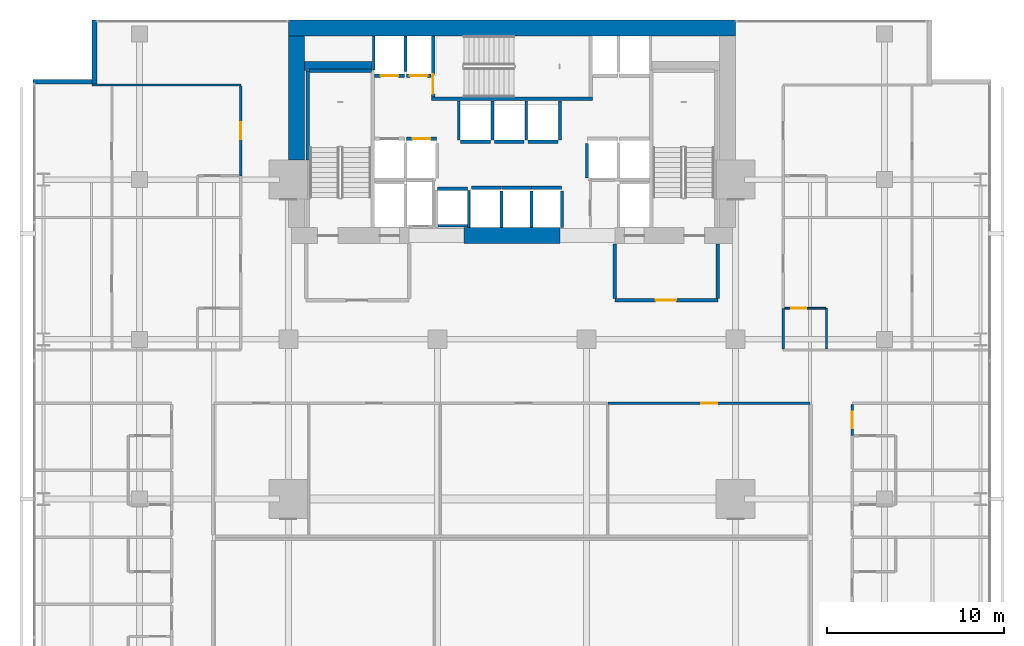
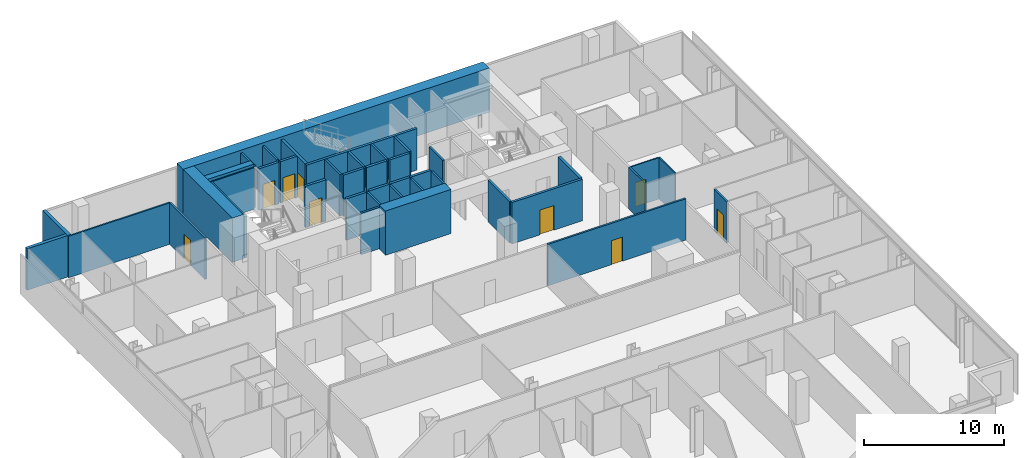
# One storey, part 36 of 40: 42 walls, 9 doors, 9 openings.
"""IFC4 building model written with IfcOpenShell, lengths in metres."""

from ifc_helpers import new_model, si_unit, direction, frame, frame_2d, origin, place, context, subcontext, project, spatial, rectangle, extrude, material, layer, layer_set, type_object, element, fill, save


model = new_model("IFC4")

# Units and contexts
model_context = context("Model", 3, precision=1e-05, world=origin(), true_north=direction((0.0, 1.0)))
body_context = subcontext(model_context, "Body", "Model", "MODEL_VIEW")
ifc_project = project(units=[si_unit("LENGTHUNIT", "METRE"), si_unit("AREAUNIT", "SQUARE_METRE"), si_unit("VOLUMEUNIT", "CUBIC_METRE"), si_unit("PLANEANGLEUNIT", "RADIAN"), si_unit("MASSUNIT", "GRAM", prefix="KILO")], contexts=[model_context])

# Site, building, storey
site_placement = place(None, origin())
site = spatial("IfcSite", under=ifc_project, at=site_placement, CompositionType="ELEMENT")
building_placement = place(site_placement, origin())
building = spatial("IfcBuilding", under=site, at=building_placement, Name="Maruvema Waterfront Hotel and Observation Tower", CompositionType="ELEMENT")
storey_placement = place(building_placement, frame((0.0, 0.0, 103.949951171875)))
storey = spatial("IfcBuildingStorey", under=building, at=storey_placement, Name="L25", CompositionType="ELEMENT", Elevation=103.949951171875)

# Wall, opening, door
ifc_material_1 = material(Name="Twin-stud acoustic gypsum drywall", Category="gypsum")
ifc_layer_1 = layer(ifc_material_1, 0.14990234375, Name="Acoustic Corridor and Suite Demising Wall 150 mm")
ifc_layer_set_1 = layer_set([ifc_layer_1], Name="Twin-stud acoustic gypsum drywall")
wall_type_1 = type_object("IfcWallType", Name="Acoustic Corridor and Suite Demising Wall 150 mm", PredefinedType="PARTITIONING", material=ifc_layer_set_1)
wall_1_placement = place(storey_placement, frame((43.221923828125, 32.39990234375, 0.0), z_axis=(0.0, 0.0, 1.0), x_axis=(1.0, 0.0, 0.0)))
wall_1 = element("IfcWall", 1, at=wall_1_placement, inside=storey, type_object=wall_type_1, Name="L25 L25-INTN Front 4 021", PredefinedType="PARTITIONING", context=body_context, shape_type="SweptSolid", body=[
    extrude(rectangle(XDim=11.3681640625, YDim=0.14990234375, at=frame_2d((5.68408203125, 0.0))), origin(), (0.0, 0.0, 1.0), 3.610107421875),
])
opening_1_placement = place(wall_1_placement, frame((5.23388671875, 0.0, 0.0)))
opening_1 = element("IfcOpeningElement", 2, at=opening_1_placement, cuts=wall_1, Name="Opening DR-090", PredefinedType="OPENING", context=body_context, shape_type="SweptSolid", body=[
    extrude(rectangle(XDim=0.89990234375, YDim=2.10009765625, at=frame_2d((0.449951171875, 1.050048828125))), frame((0.0, 0.0849609375, 0.0), z_axis=(0.0, -1.0, 0.0), x_axis=(1.0, 0.0, 0.0)), (0.0, 0.0, 1.0), 0.169921875),
])
ifc_material_2 = material(Name="Solid-core lacquered timber leaf", Category="wood")
door_type_1 = type_object("IfcDoorType", Name="Accessible Toilet and Room Door 900x2100 mm", OperationType="NOTDEFINED", PredefinedType="DOOR", material=ifc_material_2)
door_1_placement = place(opening_1_placement, origin())
door_1 = element("IfcDoor", 3, at=door_1_placement, inside=storey, type_object=door_type_1, Name="L25 Chef Pantry Kitchen 3 Door", OperationType="SINGLE_SWING_LEFT", OverallHeight=2.10009765625, OverallWidth=0.89990234375, PredefinedType="DOOR", context=body_context, shape_type="SweptSolid", body=[
    extrude(rectangle(XDim=0.89990234375, YDim=2.10009765625, at=frame_2d((0.449951171875, 1.050048828125))), frame((0.0, 0.02490234375, 0.0), z_axis=(0.0, -1.0, 0.0), x_axis=(1.0, 0.0, 0.0)), (0.0, 0.0, 1.0), 0.050048828125),
])
fill(opening_1, door_1)

wall_2_placement = place(storey_placement, frame((56.97998046875, 30.570068359375, 0.0), z_axis=(0.0, 0.0, 1.0), x_axis=(0.0, 1.0, 0.0)))
wall_2 = element("IfcWall", 4, at=wall_2_placement, inside=storey, type_object=wall_type_1, Name="L25 Room L25-E4 Corridor Wall 096", PredefinedType="PARTITIONING", context=body_context, shape_type="SweptSolid", body=[
    extrude(rectangle(XDim=1.77001953125, YDim=0.14990234375, at=frame_2d((0.885009765625, 0.0))), origin(), (0.0, 0.0, 1.0), 3.610107421875),
])
opening_2_placement = place(wall_2_placement, frame((0.409912109375, 0.0, 0.0)))
opening_2 = element("IfcOpeningElement", 5, at=opening_2_placement, cuts=wall_2, Name="Opening DR-095", PredefinedType="OPENING", context=body_context, shape_type="SweptSolid", body=[
    extrude(rectangle(XDim=0.949951171875, YDim=2.14990234375, at=frame_2d((0.47509765625, 1.074951171875))), frame((0.0, 0.0849609375, 0.0), z_axis=(0.0, -1.0, 0.0), x_axis=(1.0, 0.0, 0.0)), (0.0, 0.0, 1.0), 0.169921875),
])
ifc_material_3 = material(Name="Acoustic solid-core hardwood timber leaf", Category="wood")
door_type_2 = type_object("IfcDoorType", Name="Guestroom Entrance Fire Door 950x2150 mm", OperationType="NOTDEFINED", PredefinedType="DOOR", material=ifc_material_3)
door_2_placement = place(opening_2_placement, frame((0.949951171875, 0.0, 0.0), z_axis=(0.0, 0.0, 1.0), x_axis=(-1.0, 0.0, 0.0)))
door_2 = element("IfcDoor", 6, at=door_2_placement, inside=storey, type_object=door_type_2, Name="L25 Room L25-E4 Entrance Door", OperationType="SINGLE_SWING_LEFT", OverallHeight=2.14990234375, OverallWidth=0.949951171875, PredefinedType="DOOR", context=body_context, shape_type="SweptSolid", body=[
    extrude(rectangle(XDim=0.949951171875, YDim=2.14990234375, at=frame_2d((0.47509765625, 1.074951171875))), frame((0.0, 0.02490234375, 0.0), z_axis=(0.0, -1.0, 0.0), x_axis=(1.0, 0.0, 0.0)), (0.0, 0.0, 1.0), 0.050048828125),
])
fill(opening_2, door_2)

# Wall
wall_3_placement = place(storey_placement, frame((53.080078125, 35.4599609375, 0.0), z_axis=(0.0, 0.0, 1.0), x_axis=(0.0, 1.0, 0.0)))
element("IfcWall", 7, at=wall_3_placement, inside=storey, type_object=wall_type_1, Name="L25 Bath L25-NE1 Wall 108", PredefinedType="PARTITIONING", context=body_context, shape_type="SweptSolid", body=[
    extrude(rectangle(XDim=2.2900390625, YDim=0.14990234375, at=frame_2d((1.14501953125, 0.0))), origin(), (0.0, 0.0, 1.0), 3.610107421875),
])

# Wall, opening, door
wall_4_placement = place(storey_placement, frame((22.52001953125, 45.21875, 0.0), z_axis=(0.0, 0.0, 1.0), x_axis=(0.0, 1.0, 0.0)))
wall_4 = element("IfcWall", 8, at=wall_4_placement, inside=storey, type_object=wall_type_1, Name="L25 Room L25-NW2 Corridor Wall 116", PredefinedType="PARTITIONING", context=body_context, shape_type="SweptSolid", body=[
    extrude(rectangle(XDim=5.058837890625, YDim=0.14990234375, at=frame_2d((2.529296875, 0.0))), origin(), (0.0, 0.0, 1.0), 3.610107421875),
])
opening_3_placement = place(wall_4_placement, frame((2.054443359375, 0.0, 0.0)))
opening_3 = element("IfcOpeningElement", 9, at=opening_3_placement, cuts=wall_4, Name="Opening DR-095", PredefinedType="OPENING", context=body_context, shape_type="SweptSolid", body=[
    extrude(rectangle(XDim=0.949951171875, YDim=2.14990234375, at=frame_2d((0.47509765625, 1.074951171875))), frame((0.0, 0.0849609375, 0.0), z_axis=(0.0, -1.0, 0.0), x_axis=(1.0, 0.0, 0.0)), (0.0, 0.0, 1.0), 0.169921875),
])
door_3_placement = place(opening_3_placement, origin())
door_3 = element("IfcDoor", 10, at=door_3_placement, inside=storey, type_object=door_type_2, Name="L25 Room L25-NW2 Entrance Door", OperationType="SINGLE_SWING_LEFT", OverallHeight=2.14990234375, OverallWidth=0.949951171875, PredefinedType="DOOR", context=body_context, shape_type="SweptSolid", body=[
    extrude(rectangle(XDim=0.949951171875, YDim=2.14990234375, at=frame_2d((0.47509765625, 1.074951171875))), frame((0.0, 0.02490234375, 0.0), z_axis=(0.0, -1.0, 0.0), x_axis=(1.0, 0.0, 0.0)), (0.0, 0.0, 1.0), 0.050048828125),
])
fill(opening_3, door_3)

# Walls
ifc_material_4 = material(Name="Precast concrete C45/55", Category="concrete")
ifc_layer_2 = layer(ifc_material_4, 0.199951171875, Name="Core Shaft and Stairwell Enclosure Wall 200 mm")
ifc_layer_set_2 = layer_set([ifc_layer_2], Name="Precast concrete C45/55")
wall_type_2 = type_object("IfcWallType", Name="Core Shaft and Stairwell Enclosure Wall 200 mm", PredefinedType="SOLIDWALL", material=ifc_layer_set_2)
wall_5_placement = place(storey_placement, frame((26.300048828125, 46.1201171875, 0.0), z_axis=(0.0, 0.0, 1.0), x_axis=(0.0, 1.0, 0.0)))
element("IfcWall", 11, at=wall_5_placement, inside=storey, type_object=wall_type_2, Name="L25 Stairwell ST-01 Shaft Lining Wall", PredefinedType="SOLIDWALL", context=body_context, shape_type="SweptSolid", body=[
    extrude(rectangle(XDim=5.0, YDim=0.199951171875, at=frame_2d((2.5, 0.0))), origin(), (0.0, 0.0, 1.0), 3.610107421875),
])
wall_6_placement = place(storey_placement, frame((26.3798828125, 51.14990234375, 0.0), z_axis=(0.0, 0.0, 1.0), x_axis=(1.0, 0.0, 0.0)))
element("IfcWall", 12, at=wall_6_placement, inside=storey, type_object=wall_type_2, Name="L25 Stairwell ST-01 Shaft Lining Wall", PredefinedType="SOLIDWALL", context=body_context, shape_type="SweptSolid", body=[
    extrude(rectangle(XDim=3.5, YDim=0.199951171875, at=frame_2d((1.75, 0.0))), origin(), (0.0, 0.0, 1.0), 3.610107421875),
])
wall_7_placement = place(storey_placement, frame((33.25, 49.550048828125, 0.0), z_axis=(0.0, 0.0, 1.0), x_axis=(1.0, 0.0, 0.0)))
element("IfcWall", 13, at=wall_7_placement, inside=storey, type_object=wall_type_2, Name="L25 Stairwell ST-02 Shaft Wall", PredefinedType="SOLIDWALL", context=body_context, shape_type="SweptSolid", body=[
    extrude(rectangle(XDim=9.10009765625, YDim=0.199951171875, at=frame_2d((4.550048828125, 0.0))), origin(), (0.0, 0.0, 1.0), 3.610107421875),
])

# Wall, opening, door
wall_8_placement = place(storey_placement, frame((33.35009765625, 49.64990234375, 0.0), z_axis=(0.0, 0.0, 1.0), x_axis=(0.0, 1.0, 0.0)))
wall_8 = element("IfcWall", 14, at=wall_8_placement, inside=storey, type_object=wall_type_2, Name="L25 Stairwell ST-02 Shaft Wall", PredefinedType="SOLIDWALL", context=body_context, shape_type="SweptSolid", body=[
    extrude(rectangle(XDim=3.4501953125, YDim=0.199951171875, at=frame_2d((1.72509765625, 0.0))), origin(), (0.0, 0.0, 1.0), 3.610107421875),
])
opening_4_placement = place(wall_8_placement, frame((0.179931640625, 0.0, 0.0)))
opening_4 = element("IfcOpeningElement", 15, at=opening_4_placement, cuts=wall_8, Name="Opening SD-02", PredefinedType="OPENING", context=body_context, shape_type="SweptSolid", body=[
    extrude(rectangle(XDim=1.10009765625, YDim=2.14990234375, at=frame_2d((0.550048828125, 1.074951171875))), frame((0.0, 0.10986328125, 0.0), z_axis=(0.0, -1.0, 0.0), x_axis=(1.0, 0.0, 0.0)), (0.0, 0.0, 1.0), 0.219970703125),
])
ifc_material_5 = material(Name="Fire-rated galvanised steel leaf", Category="steel")
door_type_3 = type_object("IfcDoorType", Name="Central Exit Stair Fire Door 1100x2150 mm", OperationType="NOTDEFINED", PredefinedType="DOOR", material=ifc_material_5)
door_4_placement = place(opening_4_placement, frame((1.10009765625, 0.0, 0.0), z_axis=(0.0, 0.0, 1.0), x_axis=(-1.0, 0.0, 0.0)))
door_4 = element("IfcDoor", 16, at=door_4_placement, inside=storey, type_object=door_type_3, Name="L25 Exit Stair ST-02 Fire Door", OperationType="SINGLE_SWING_LEFT", OverallHeight=2.14990234375, OverallWidth=1.10009765625, PredefinedType="DOOR", context=body_context, shape_type="SweptSolid", body=[
    extrude(rectangle(XDim=1.10009765625, YDim=2.14990234375, at=frame_2d((0.550048828125, 1.074951171875))), frame((0.0, 0.02490234375, 0.0), z_axis=(0.0, -1.0, 0.0), x_axis=(1.0, 0.0, 0.0)), (0.0, 0.0, 1.0), 0.050048828125),
])
fill(opening_4, door_4)

wall_9_placement = place(storey_placement, frame((31.860107421875, 47.300048828125, 0.0), z_axis=(0.0, 0.0, 1.0), x_axis=(1.0, 0.0, 0.0)))
wall_9 = element("IfcWall", 17, at=wall_9_placement, inside=storey, type_object=wall_type_2, Name="L25 Lift LF-02 Hoistway Front Wall", PredefinedType="SOLIDWALL", context=body_context, shape_type="SweptSolid", body=[
    extrude(rectangle(XDim=1.679931640625, YDim=0.199951171875, at=frame_2d((0.83984375, 0.0))), origin(), (0.0, 0.0, 1.0), 3.610107421875),
])
opening_5_placement = place(wall_9_placement, frame((0.340087890625, 0.0, 0.0)))
opening_5 = element("IfcOpeningElement", 18, at=opening_5_placement, cuts=wall_9, Name="Opening LD-01", PredefinedType="OPENING", context=body_context, shape_type="SweptSolid", body=[
    extrude(rectangle(XDim=1.0, YDim=2.14990234375, at=frame_2d((0.5, 1.074951171875))), frame((0.0, 0.10986328125, 0.0), z_axis=(0.0, -1.0, 0.0), x_axis=(1.0, 0.0, 0.0)), (0.0, 0.0, 1.0), 0.219970703125),
])
ifc_material_6 = material(Name="Brushed stainless steel Grade 316", Category="steel")
door_type_4 = type_object("IfcDoorType", Name="Passenger Lift Sliding Landing Door 1000x2150 mm", OperationType="SLIDING_TO_LEFT", PredefinedType="DOOR", material=ifc_material_6)
door_5_placement = place(opening_5_placement, origin())
door_5 = element("IfcDoor", 19, at=door_5_placement, inside=storey, type_object=door_type_4, Name="L25 Lift LF-02 Sliding Landing Door", OperationType="SLIDING_TO_LEFT", OverallHeight=2.14990234375, OverallWidth=1.0, PredefinedType="DOOR", context=body_context, shape_type="SweptSolid", body=[
    extrude(rectangle(XDim=1.0, YDim=2.14990234375, at=frame_2d((0.5, 1.074951171875))), frame((0.0, 0.02490234375, 0.0), z_axis=(0.0, -1.0, 0.0), x_axis=(1.0, 0.0, 0.0)), (0.0, 0.0, 1.0), 0.050048828125),
])
fill(opening_5, door_5)

wall_10_placement = place(storey_placement, frame((30.06005859375, 50.85009765625, 0.0), z_axis=(0.0, 0.0, 1.0), x_axis=(1.0, 0.0, 0.0)))
wall_10 = element("IfcWall", 20, at=wall_10_placement, inside=storey, type_object=wall_type_2, Name="L25 Lift LF-03 Hoistway Front Wall", PredefinedType="SOLIDWALL", context=body_context, shape_type="SweptSolid", body=[
    extrude(rectangle(XDim=1.679931640625, YDim=0.199951171875, at=frame_2d((0.83984375, 0.0))), origin(), (0.0, 0.0, 1.0), 3.610107421875),
])
opening_6_placement = place(wall_10_placement, frame((0.340087890625, 0.0, 0.0)))
opening_6 = element("IfcOpeningElement", 21, at=opening_6_placement, cuts=wall_10, Name="Opening LD-01", PredefinedType="OPENING", context=body_context, shape_type="SweptSolid", body=[
    extrude(rectangle(XDim=1.0, YDim=2.14990234375, at=frame_2d((0.5, 1.074951171875))), frame((0.0, 0.10986328125, 0.0), z_axis=(0.0, -1.0, 0.0), x_axis=(1.0, 0.0, 0.0)), (0.0, 0.0, 1.0), 0.219970703125),
])
door_6_placement = place(opening_6_placement, frame((1.0, 0.0, 0.0), z_axis=(0.0, 0.0, 1.0), x_axis=(-1.0, 0.0, 0.0)))
door_6 = element("IfcDoor", 22, at=door_6_placement, inside=storey, type_object=door_type_4, Name="L25 Lift LF-03 Sliding Landing Door", OperationType="SLIDING_TO_LEFT", OverallHeight=2.14990234375, OverallWidth=1.0, PredefinedType="DOOR", context=body_context, shape_type="SweptSolid", body=[
    extrude(rectangle(XDim=1.0, YDim=2.14990234375, at=frame_2d((0.5, 1.074951171875))), frame((0.0, 0.02490234375, 0.0), z_axis=(0.0, -1.0, 0.0), x_axis=(1.0, 0.0, 0.0)), (0.0, 0.0, 1.0), 0.050048828125),
])
fill(opening_6, door_6)

wall_11_placement = place(storey_placement, frame((31.860107421875, 50.85009765625, 0.0), z_axis=(0.0, 0.0, 1.0), x_axis=(1.0, 0.0, 0.0)))
wall_11 = element("IfcWall", 23, at=wall_11_placement, inside=storey, type_object=wall_type_2, Name="L25 Lift LF-04 Hoistway Front Wall", PredefinedType="SOLIDWALL", context=body_context, shape_type="SweptSolid", body=[
    extrude(rectangle(XDim=1.3798828125, YDim=0.199951171875, at=frame_2d((0.68994140625, 0.0))), origin(), (0.0, 0.0, 1.0), 3.610107421875),
])
opening_7_placement = place(wall_11_placement, frame((0.18994140625, 0.0, 0.0)))
opening_7 = element("IfcOpeningElement", 24, at=opening_7_placement, cuts=wall_11, Name="Opening LD-01", PredefinedType="OPENING", context=body_context, shape_type="SweptSolid", body=[
    extrude(rectangle(XDim=1.0, YDim=2.14990234375, at=frame_2d((0.5, 1.074951171875))), frame((0.0, 0.10986328125, 0.0), z_axis=(0.0, -1.0, 0.0), x_axis=(1.0, 0.0, 0.0)), (0.0, 0.0, 1.0), 0.219970703125),
])
door_7_placement = place(opening_7_placement, frame((1.0, 0.0, 0.0), z_axis=(0.0, 0.0, 1.0), x_axis=(-1.0, 0.0, 0.0)))
door_7 = element("IfcDoor", 25, at=door_7_placement, inside=storey, type_object=door_type_4, Name="L25 Lift LF-04 Sliding Landing Door", OperationType="SLIDING_TO_LEFT", OverallHeight=2.14990234375, OverallWidth=1.0, PredefinedType="DOOR", context=body_context, shape_type="SweptSolid", body=[
    extrude(rectangle(XDim=1.0, YDim=2.14990234375, at=frame_2d((0.5, 1.074951171875))), frame((0.0, 0.02490234375, 0.0), z_axis=(0.0, -1.0, 0.0), x_axis=(1.0, 0.0, 0.0)), (0.0, 0.0, 1.0), 0.050048828125),
])
fill(opening_7, door_7)

# Walls
for number, where, z_axis, x_axis, name in (
    (26, (35.510009765625, 44.550048828125, 0.0), (0.0, 0.0, 1.0), (1.0, 0.0, 0.0), "L25 Lift LF-09 Hoistway Front Wall"),
    (27, (37.2099609375, 44.550048828125, 0.0), (0.0, 0.0, 1.0), (1.0, 0.0, 0.0), "L25 Lift LF-10 Hoistway Front Wall"),
):
    element("IfcWall", number, at=place(storey_placement, frame(where, z_axis=z_axis, x_axis=x_axis)), inside=storey, type_object=wall_type_2, Name=name, PredefinedType="SOLIDWALL", context=body_context, shape_type="SweptSolid", body=[
        extrude(rectangle(XDim=1.679931640625, YDim=0.199951171875, at=frame_2d((0.83984375, 0.0))), origin(), (0.0, 0.0, 1.0), 3.610107421875),
    ])
for number, where, z_axis, x_axis, name in (
    (28, (38.909912109375, 44.550048828125, 0.0), (0.0, 0.0, 1.0), (1.0, 0.0, 0.0), "L25 Lift LF-11 Hoistway Front Wall"),
    (29, (34.909912109375, 47.14990234375, 0.0), (0.0, 0.0, 1.0), (1.0, 0.0, 0.0), "L25 Lift LF-12 Hoistway Front Wall"),
):
    element("IfcWall", number, at=place(storey_placement, frame(where, z_axis=z_axis, x_axis=x_axis)), inside=storey, type_object=wall_type_2, Name=name, PredefinedType="SOLIDWALL", context=body_context, shape_type="SweptSolid", body=[
        extrude(rectangle(XDim=1.68017578125, YDim=0.199951171875, at=frame_2d((0.840087890625, 0.0))), origin(), (0.0, 0.0, 1.0), 3.610107421875),
    ])
for number, where, z_axis, x_axis, name in (
    (30, (36.81005859375, 47.14990234375, 0.0), (0.0, 0.0, 1.0), (1.0, 0.0, 0.0), "L25 Lift LF-13 Hoistway Front Wall"),
    (31, (38.7099609375, 47.14990234375, 0.0), (0.0, 0.0, 1.0), (1.0, 0.0, 0.0), "L25 Lift LF-14 Hoistway Front Wall"),
    (32, (33.610107421875, 44.5, 0.0), (0.0, 0.0, 1.0), (1.0, 0.0, 0.0), "L25 Lift LF-15 Hoistway Front Wall"),
):
    element("IfcWall", number, at=place(storey_placement, frame(where, z_axis=z_axis, x_axis=x_axis)), inside=storey, type_object=wall_type_2, Name=name, PredefinedType="SOLIDWALL", context=body_context, shape_type="SweptSolid", body=[
        extrude(rectangle(XDim=1.679931640625, YDim=0.199951171875, at=frame_2d((0.83984375, 0.0))), origin(), (0.0, 0.0, 1.0), 3.610107421875),
    ])
ifc_material_7 = material(Name="Concrete C70/85", Category="concrete")
ifc_layer_3 = layer(ifc_material_7, 0.5, Name="Core Shear Wall 500 mm")
ifc_layer_set_3 = layer_set([ifc_layer_3], Name="Concrete C70/85")
wall_type_3 = type_object("IfcWallType", Name="Core Shear Wall 500 mm", PredefinedType="SHEAR", material=ifc_layer_set_3)
wall_12_placement = place(storey_placement, frame((26.10009765625, 51.39990234375, 0.0), z_axis=(0.0, 0.0, 1.0), x_axis=(1.0, 0.0, 0.0)))
element("IfcWall", 33, at=wall_12_placement, inside=storey, type_object=wall_type_3, Name="L25 Internal Core Shear Wall NW 500 mm", PredefinedType="SHEAR", context=body_context, shape_type="SweptSolid", body=[
    extrude(rectangle(XDim=3.7998046875, YDim=0.5, at=frame_2d((1.89990234375, 0.0))), origin(), (0.0, 0.0, 1.0), 3.85009765625),
])
ifc_material_8 = material(Name="Concrete C80/95", Category="concrete")
ifc_layer_4 = layer(ifc_material_8, 0.89990234375, Name="Core Shear Wall 900 mm")
ifc_layer_set_4 = layer_set([ifc_layer_4], Name="Concrete C80/95")
wall_type_4 = type_object("IfcWallType", Name="Core Shear Wall 900 mm", PredefinedType="SHEAR", material=ifc_layer_set_4)
wall_13_placement = place(storey_placement, frame((25.199951171875, 53.550048828125, 0.0), z_axis=(0.0, 0.0, 1.0), x_axis=(1.0, 0.0, 0.0)))
element("IfcWall", 34, at=wall_13_placement, inside=storey, type_object=wall_type_4, Name="L25 North Core Shear Wall", PredefinedType="SHEAR", context=body_context, shape_type="SweptSolid", body=[
    extrude(rectangle(XDim=25.199951171875, YDim=0.89990234375, at=frame_2d((12.60009765625, 0.0))), origin(), (0.0, 0.0, 1.0), 3.85009765625),
])
wall_14_placement = place(storey_placement, frame((35.10009765625, 41.85009765625, 0.0), z_axis=(0.0, 0.0, 1.0), x_axis=(1.0, 0.0, 0.0)))
element("IfcWall", 35, at=wall_14_placement, inside=storey, type_object=wall_type_4, Name="L25 South-Central Core Shear Wall", PredefinedType="SHEAR", context=body_context, shape_type="SweptSolid", body=[
    extrude(rectangle(XDim=5.39990234375, YDim=0.89990234375, at=frame_2d((2.699951171875, 0.0))), origin(), (0.0, 0.0, 1.0), 3.85009765625),
])
wall_15_placement = place(storey_placement, frame((25.64990234375, 46.10009765625, 0.0), z_axis=(0.0, 0.0, 1.0), x_axis=(0.0, 1.0, 0.0)))
element("IfcWall", 36, at=wall_15_placement, inside=storey, type_object=wall_type_4, Name="L25 West-North Core Shear Wall", PredefinedType="SHEAR", context=body_context, shape_type="SweptSolid", body=[
    extrude(rectangle(XDim=7.0, YDim=0.89990234375, at=frame_2d((3.5, 0.0))), origin(), (0.0, 0.0, 1.0), 3.85009765625),
])
ifc_material_9 = material(Name="Moisture-resistant cement-board drywall", Category="gypsum")
ifc_layer_5 = layer(ifc_material_9, 0.10009765625, Name="En-Suite Moisture-Resistant Partition 100 mm")
ifc_layer_set_5 = layer_set([ifc_layer_5], Name="Moisture-resistant cement-board drywall")
wall_type_5 = type_object("IfcWallType", Name="En-Suite Moisture-Resistant Partition 100 mm", PredefinedType="PARTITIONING", material=ifc_layer_set_5)
wall_16_placement = place(storey_placement, frame((55.530029296875, 35.4599609375, 0.0), z_axis=(0.0, 0.0, 1.0), x_axis=(0.0, 1.0, 0.0)))
element("IfcWall", 37, at=wall_16_placement, inside=storey, type_object=wall_type_5, Name="L25 En-Suite L25-NE1 E 110", PredefinedType="PARTITIONING", context=body_context, shape_type="SweptSolid", body=[
    extrude(rectangle(XDim=2.2900390625, YDim=0.10009765625, at=frame_2d((1.14501953125, 0.0))), origin(), (0.0, 0.0, 1.0), 3.610107421875),
])

# Wall, opening, door
wall_17_placement = place(storey_placement, frame((53.179931640625, 37.75, 0.0), z_axis=(0.0, 0.0, 1.0), x_axis=(1.0, 0.0, 0.0)))
wall_17 = element("IfcWall", 38, at=wall_17_placement, inside=storey, type_object=wall_type_5, Name="L25 En-Suite L25-NE1 N 111", PredefinedType="PARTITIONING", context=body_context, shape_type="SweptSolid", body=[
    extrude(rectangle(XDim=2.300048828125, YDim=0.10009765625, at=frame_2d((1.14990234375, 0.0))), origin(), (0.0, 0.0, 1.0), 3.610107421875),
])
opening_8_placement = place(wall_17_placement, frame((0.35009765625, 0.0, 0.0)))
opening_8 = element("IfcOpeningElement", 39, at=opening_8_placement, cuts=wall_17, Name="Opening DR-085", PredefinedType="OPENING", context=body_context, shape_type="SweptSolid", body=[
    extrude(rectangle(XDim=0.85009765625, YDim=2.10009765625, at=frame_2d((0.425048828125, 1.050048828125))), frame((0.0, 0.06005859375, 0.0), z_axis=(0.0, -1.0, 0.0), x_axis=(1.0, 0.0, 0.0)), (0.0, 0.0, 1.0), 0.1201171875),
])
ifc_material_10 = material(Name="Moisture-resistant solid timber leaf", Category="wood")
door_type_5 = type_object("IfcDoorType", Name="En-Suite Bathroom Door 850x2100 mm", OperationType="NOTDEFINED", PredefinedType="DOOR", material=ifc_material_10)
door_8_placement = place(opening_8_placement, origin())
door_8 = element("IfcDoor", 40, at=door_8_placement, inside=storey, type_object=door_type_5, Name="L25 En-Suite L25-NE1 Door", OperationType="SINGLE_SWING_LEFT", OverallHeight=2.10009765625, OverallWidth=0.85009765625, PredefinedType="DOOR", context=body_context, shape_type="SweptSolid", body=[
    extrude(rectangle(XDim=0.85009765625, YDim=2.10009765625, at=frame_2d((0.425048828125, 1.050048828125))), frame((0.0, 0.02490234375, 0.0), z_axis=(0.0, -1.0, 0.0), x_axis=(1.0, 0.0, 0.0)), (0.0, 0.0, 1.0), 0.050048828125),
])
fill(opening_8, door_8)

# Walls
ifc_material_11 = material(Name="Precast concrete C45/55 with honed Pernambuco granite facing", Category="masonry")
ifc_layer_6 = layer(ifc_material_11, 0.260009765625, Name="Exterior Granite Clad Spandrel and Pier Wall 260 mm")
ifc_layer_set_6 = layer_set([ifc_layer_6], Name="Precast concrete C45/55 with honed Pernambuco granite facing")
wall_type_6 = type_object("IfcWallType", Name="Exterior Granite Clad Spandrel and Pier Wall 260 mm", PredefinedType="SOLIDWALL", material=ifc_layer_set_6)
wall_18_placement = place(storey_placement, frame((14.27001953125, 50.39990234375, 0.0), z_axis=(0.0, 0.0, 1.0), x_axis=(0.0, 1.0, 0.0)))
element("IfcWall", 41, at=wall_18_placement, inside=storey, type_object=wall_type_6, Name="L25 Corner Notch Granite Pier Wall NW1", PredefinedType="SOLIDWALL", context=body_context, shape_type="SweptSolid", body=[
    extrude(rectangle(XDim=3.60009765625, YDim=0.260009765625, at=frame_2d((1.800048828125, 0.0))), origin(), (0.0, 0.0, 1.0), 3.610107421875),
])
wall_19_placement = place(storey_placement, frame((10.800048828125, 50.530029296875, 0.0), z_axis=(0.0, 0.0, 1.0), x_axis=(1.0, 0.0, 0.0)))
element("IfcWall", 42, at=wall_19_placement, inside=storey, type_object=wall_type_6, Name="L25 Corner Notch Granite Pier Wall NW2", PredefinedType="SOLIDWALL", context=body_context, shape_type="SweptSolid", body=[
    extrude(rectangle(XDim=3.599853515625, YDim=0.260009765625, at=frame_2d((1.7998046875, 0.0))), origin(), (0.0, 0.0, 1.0), 3.610107421875),
])

# Wall, opening, door
ifc_material_12 = material(Name="Autoclaved cellular concrete blockwork", Category="masonry")
ifc_layer_7 = layer(ifc_material_12, 0.199951171875, Name="Fire Compartment Masonry Wall 200 mm")
ifc_layer_set_7 = layer_set([ifc_layer_7], Name="Autoclaved cellular concrete blockwork")
wall_type_7 = type_object("IfcWallType", Name="Fire Compartment Masonry Wall 200 mm", PredefinedType="PARTITIONING", material=ifc_layer_set_7)
wall_20_placement = place(storey_placement, frame((43.60009765625, 38.199951171875, 0.0), z_axis=(0.0, 0.0, 1.0), x_axis=(1.0, 0.0, 0.0)))
wall_20 = element("IfcWall", 43, at=wall_20_placement, inside=storey, type_object=wall_type_7, Name="L25 FFL East South Wall 004", PredefinedType="PARTITIONING", context=body_context, shape_type="SweptSolid", body=[
    extrude(rectangle(XDim=5.7998046875, YDim=0.199951171875, at=frame_2d((2.89990234375, 0.0))), origin(), (0.0, 0.0, 1.0), 3.610107421875),
])
opening_9_placement = place(wall_20_placement, frame((2.300048828125, 0.0, 0.0)))
opening_9 = element("IfcOpeningElement", 44, at=opening_9_placement, cuts=wall_20, Name="Opening FD-115", PredefinedType="OPENING", context=body_context, shape_type="SweptSolid", body=[
    extrude(rectangle(XDim=1.14990234375, YDim=2.14990234375, at=frame_2d((0.574951171875, 1.074951171875))), frame((0.0, 0.10986328125, 0.0), z_axis=(0.0, -1.0, 0.0), x_axis=(1.0, 0.0, 0.0)), (0.0, 0.0, 1.0), 0.219970703125),
])
ifc_material_13 = material(Name="Fire-rated galvanised steel and vision glass", Category="steel")
door_type_6 = type_object("IfcDoorType", Name="Firefighting Lobby Fire Door 1150x2150 mm", OperationType="NOTDEFINED", PredefinedType="DOOR", material=ifc_material_13)
door_9_placement = place(opening_9_placement, frame((1.14990234375, 0.0, 0.0), z_axis=(0.0, 0.0, 1.0), x_axis=(-1.0, 0.0, 0.0)))
door_9 = element("IfcDoor", 45, at=door_9_placement, inside=storey, type_object=door_type_6, Name="L25 Firefighting Lobby East Door", OperationType="SINGLE_SWING_LEFT", OverallHeight=2.14990234375, OverallWidth=1.14990234375, PredefinedType="DOOR", context=body_context, shape_type="SweptSolid", body=[
    extrude(rectangle(XDim=1.14990234375, YDim=2.14990234375, at=frame_2d((0.574951171875, 1.074951171875))), frame((0.0, 0.02490234375, 0.0), z_axis=(0.0, -1.0, 0.0), x_axis=(1.0, 0.0, 0.0)), (0.0, 0.0, 1.0), 0.050048828125),
])
fill(opening_9, door_9)

# Walls
for number, where, z_axis, x_axis, name in (
    (46, (43.60009765625, 38.31005859375, 0.0), (0.0, 0.0, 1.0), (0.0, 1.0, 0.0), "L25 FFL East West Wall 005"),
    (47, (49.39990234375, 38.31005859375, 0.0), (0.0, 0.0, 1.0), (0.0, 1.0, 0.0), "L25 FFL East East Wall 006"),
):
    element("IfcWall", number, at=place(storey_placement, frame(where, z_axis=z_axis, x_axis=x_axis)), inside=storey, type_object=wall_type_7, Name=name, PredefinedType="PARTITIONING", context=body_context, shape_type="SweptSolid", body=[
        extrude(rectangle(XDim=3.06982421875, YDim=0.199951171875, at=frame_2d((1.534912109375, 0.0))), origin(), (0.0, 0.0, 1.0), 3.610107421875),
    ])
ifc_material_14 = material(Name="Acoustic gypsum plasterboard drywall", Category="gypsum")
ifc_layer_8 = layer(ifc_material_14, 0.125, Name="Guestroom Acoustic Demising Wall 125 mm")
ifc_layer_set_8 = layer_set([ifc_layer_8], Name="Acoustic gypsum plasterboard drywall")
wall_type_8 = type_object("IfcWallType", Name="Guestroom Acoustic Demising Wall 125 mm", PredefinedType="PARTITIONING", material=ifc_layer_set_8)
wall_21_placement = place(storey_placement, frame((14.139892578125, 50.33740234375, 0.0), z_axis=(0.0, 0.0, 1.0), x_axis=(1.0, 0.0, 0.0)))
element("IfcWall", 48, at=wall_21_placement, inside=storey, type_object=wall_type_8, Name="L25 NW Top End 101", PredefinedType="PARTITIONING", context=body_context, shape_type="SweptSolid", body=[
    extrude(rectangle(XDim=8.380126953125, YDim=0.125, at=frame_2d((4.18994140625, 0.0))), origin(), (0.0, 0.0, 1.0), 3.610107421875),
])
ifc_material_15 = material(Name="Precast concrete C45/55", Category="concrete")
ifc_layer_9 = layer(ifc_material_15, 0.159912109375, Name="Lift Hoistway Divider Wall 160 mm")
ifc_layer_set_9 = layer_set([ifc_layer_9], Name="Precast concrete C45/55")
wall_type_9 = type_object("IfcWallType", Name="Lift Hoistway Divider Wall 160 mm", PredefinedType="SOLIDWALL", material=ifc_layer_set_9)
wall_22_placement = place(storey_placement, frame((30.010009765625, 51.179931640625, 0.0), z_axis=(0.0, 0.0, 1.0), x_axis=(0.0, 1.0, 0.0)))
element("IfcWall", 49, at=wall_22_placement, inside=storey, type_object=wall_type_9, Name="L25 Hoistway Divider Wall", PredefinedType="SOLIDWALL", context=body_context, shape_type="SweptSolid", body=[
    extrude(rectangle(XDim=1.920166015625, YDim=0.159912109375, at=frame_2d((0.9599609375, 0.0))), origin(), (0.0, 0.0, 1.0), 3.610107421875),
])
wall_23_placement = place(storey_placement, frame((31.800048828125, 51.10009765625, 0.0), z_axis=(0.0, 0.0, 1.0), x_axis=(0.0, 1.0, 0.0)))
element("IfcWall", 50, at=wall_23_placement, inside=storey, type_object=wall_type_9, Name="L25 Hoistway Divider Wall", PredefinedType="SOLIDWALL", context=body_context, shape_type="SweptSolid", body=[
    extrude(rectangle(XDim=2.0, YDim=0.159912109375, at=frame_2d((1.0, 0.0))), origin(), (0.0, 0.0, 1.0), 3.610107421875),
])
wall_24_placement = place(storey_placement, frame((42.02001953125, 45.10009765625, 0.0), z_axis=(0.0, 0.0, 1.0), x_axis=(0.0, 1.0, 0.0)))
element("IfcWall", 51, at=wall_24_placement, inside=storey, type_object=wall_type_9, Name="L25 Hoistway Divider Wall", PredefinedType="SOLIDWALL", context=body_context, shape_type="SweptSolid", body=[
    extrude(rectangle(XDim=1.949951171875, YDim=0.159912109375, at=frame_2d((0.97509765625, 0.0))), origin(), (0.0, 0.0, 1.0), 3.610107421875),
])
for number, where, z_axis, x_axis, name in (
    (52, (37.199951171875, 42.300048828125, 0.0), (0.0, 0.0, 1.0), (0.0, 1.0, 0.0), "L25 Hoistway Divider Wall"),
    (53, (38.89990234375, 42.300048828125, 0.0), (0.0, 0.0, 1.0), (0.0, 1.0, 0.0), "L25 Hoistway Divider Wall"),
    (54, (40.6201171875, 42.300048828125, 0.0), (0.0, 0.0, 1.0), (0.0, 1.0, 0.0), "L25 Hoistway Divider Wall"),
):
    element("IfcWall", number, at=place(storey_placement, frame(where, z_axis=z_axis, x_axis=x_axis)), inside=storey, type_object=wall_type_9, Name=name, PredefinedType="SOLIDWALL", context=body_context, shape_type="SweptSolid", body=[
        extrude(rectangle(XDim=2.050048828125, YDim=0.159912109375, at=frame_2d((1.02490234375, 0.0))), origin(), (0.0, 0.0, 1.0), 3.610107421875),
    ])
for number, where, z_axis, x_axis, name in (
    (55, (34.800048828125, 47.25, 0.0), (0.0, 0.0, 1.0), (0.0, 1.0, 0.0), "L25 Hoistway Divider Wall"),
    (56, (36.699951171875, 47.25, 0.0), (0.0, 0.0, 1.0), (0.0, 1.0, 0.0), "L25 Hoistway Divider Wall"),
    (57, (38.60009765625, 47.25, 0.0), (0.0, 0.0, 1.0), (0.0, 1.0, 0.0), "L25 Hoistway Divider Wall"),
    (58, (40.5, 47.25, 0.0), (0.0, 0.0, 1.0), (0.0, 1.0, 0.0), "L25 Hoistway Divider Wall"),
):
    element("IfcWall", number, at=place(storey_placement, frame(where, z_axis=z_axis, x_axis=x_axis)), inside=storey, type_object=wall_type_9, Name=name, PredefinedType="SOLIDWALL", context=body_context, shape_type="SweptSolid", body=[
        extrude(rectangle(XDim=2.18994140625, YDim=0.159912109375, at=frame_2d((1.094970703125, 0.0))), origin(), (0.0, 0.0, 1.0), 3.610107421875),
    ])
wall_25_placement = place(storey_placement, frame((35.360107421875, 42.300048828125, 0.0), z_axis=(0.0, 0.0, 1.0), x_axis=(0.0, 1.0, 0.0)))
element("IfcWall", 59, at=wall_25_placement, inside=storey, type_object=wall_type_9, Name="L25 Hoistway Divider Wall", PredefinedType="SOLIDWALL", context=body_context, shape_type="SweptSolid", body=[
    extrude(rectangle(XDim=2.099853515625, YDim=0.159912109375, at=frame_2d((1.0498046875, 0.0))), origin(), (0.0, 0.0, 1.0), 3.610107421875),
])
wall_26_placement = place(storey_placement, frame((33.6201171875, 42.39990234375, 0.0), z_axis=(0.0, 0.0, 1.0), x_axis=(1.0, 0.0, 0.0)))
element("IfcWall", 60, at=wall_26_placement, inside=storey, type_object=wall_type_9, Name="L25 Hoistway Divider Wall", PredefinedType="SOLIDWALL", context=body_context, shape_type="SweptSolid", body=[
    extrude(rectangle(XDim=1.659912109375, YDim=0.159912109375, at=frame_2d((0.830078125, 0.0))), origin(), (0.0, 0.0, 1.0), 3.610107421875),
])

save(model, "model.ifc")
